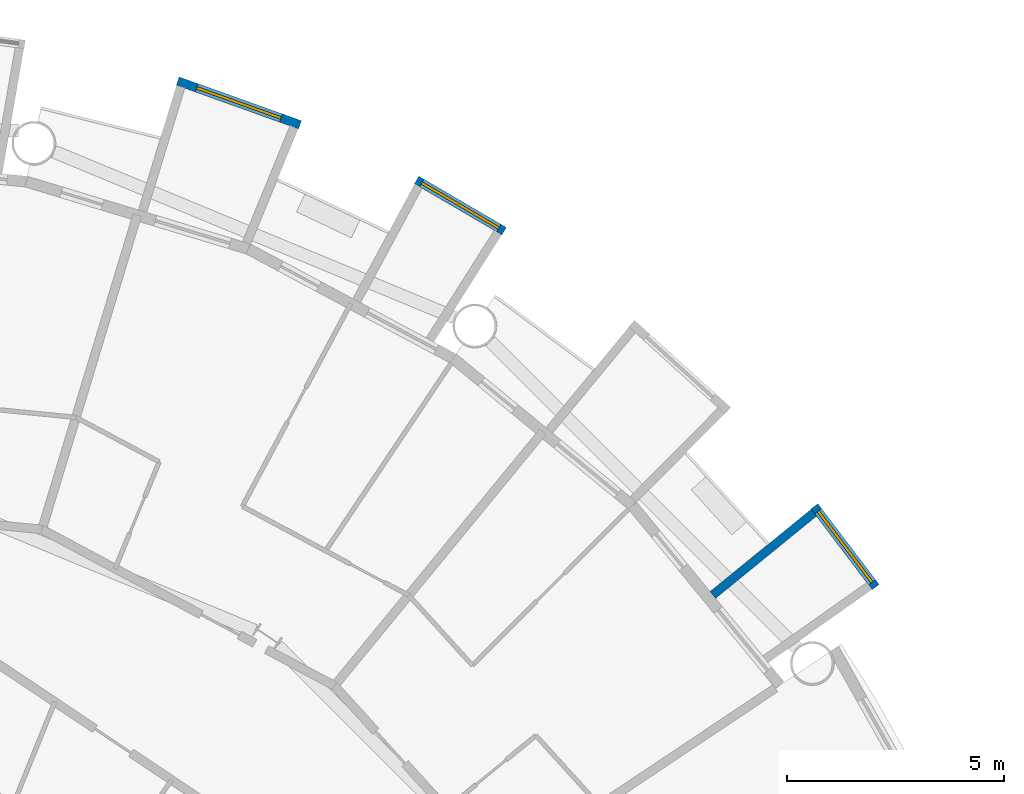
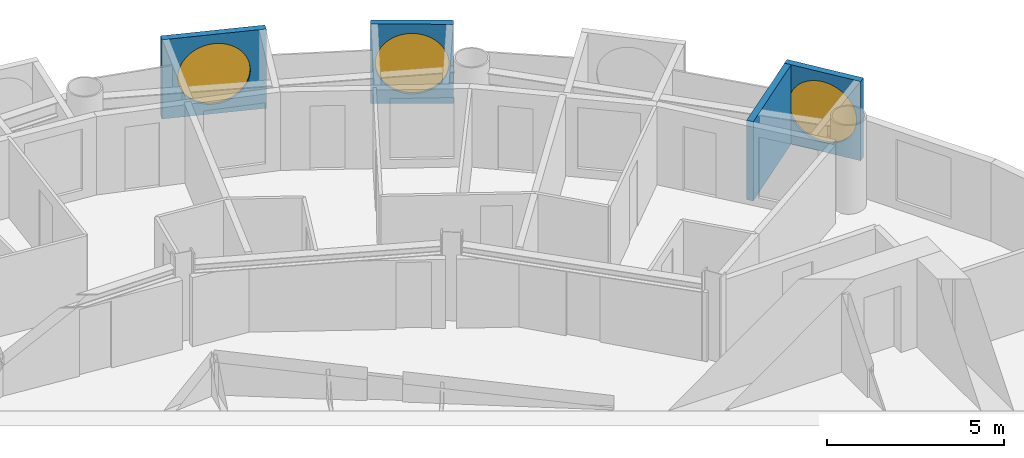
# One storey, part 23 of 26: 4 walls, 3 windows, 3 openings.
"""IFC4 building model written with IfcOpenShell, lengths in metres."""

from ifc_helpers import new_model, si_unit, direction, frame, frame_2d, origin, place, context, subcontext, project, spatial, rectangle, circle, extrude, material, layer, layer_set, type_object, element, fill, save


model = new_model("IFC4")

# Units and contexts
model_context = context("Model", 3, precision=1e-05, world=origin(), true_north=direction((0.0, 1.0)))
body_context = subcontext(model_context, "Body", "Model", "MODEL_VIEW")
ifc_project = project(units=[si_unit("LENGTHUNIT", "METRE"), si_unit("AREAUNIT", "SQUARE_METRE"), si_unit("VOLUMEUNIT", "CUBIC_METRE"), si_unit("PLANEANGLEUNIT", "RADIAN"), si_unit("MASSUNIT", "GRAM", prefix="KILO")], contexts=[model_context])

# Site, building, storey
site_placement = place(None, origin())
site = spatial("IfcSite", under=ifc_project, at=site_placement, CompositionType="ELEMENT")
building_placement = place(site_placement, origin())
building = spatial("IfcBuilding", under=site, at=building_placement, Name="Maasbend Ring Residences", CompositionType="ELEMENT")
storey_placement = place(building_placement, frame((0.0, 0.0, 25.85009765625)))
storey = spatial("IfcBuildingStorey", under=building, at=storey_placement, Name="L06", CompositionType="ELEMENT", Elevation=25.85009765625)

# Wall, opening, window
ifc_material_1 = material(Name="Pale anodised aluminium panel", Category="aluminium")
ifc_layer = layer(ifc_material_1, 0.199951171875)
ifc_layer_set = layer_set([ifc_layer], Name="EW-BOX")
wall_type = type_object("IfcWallType", Name="EW-BOX", PredefinedType="SOLIDWALL", material=ifc_layer_set)
wall_1_placement = place(storey_placement, frame((24.908935546875, 17.427001953125, -0.030029296875), z_axis=(0.0, 0.0, 1.0), x_axis=(-0.60418752353, 0.796842165306, 0.0)))
wall_1 = element("IfcWall", 1, at=wall_1_placement, inside=storey, type_object=wall_type, Name="Box front N01", PredefinedType="SOLIDWALL", context=body_context, shape_type="SweptSolid", body=[
    extrude(rectangle(XDim=2.3369140625, YDim=0.199951171875, at=frame_2d((1.16845703125, 0.0))), origin(), (0.0, 0.0, 1.0), 2.72998046875),
])
opening_1_placement = place(wall_1_placement, frame((0.128173828125, 0.0, 0.330078125)))
opening_1 = element("IfcOpeningElement", 2, at=opening_1_placement, cuts=wall_1, Name="Opening W-RD", PredefinedType="OPENING", context=body_context, shape_type="SweptSolid", body=[
    extrude(circle(Radius=1.0400390625, at=frame_2d((1.0400390625, 1.0400390625))), frame((0.0, 0.10986328125, 0.0), z_axis=(0.0, -1.0, 0.0), x_axis=(1.0, 0.0, 0.0)), (0.0, 0.0, 1.0), 0.219970703125),
])
ifc_material_2 = material(Name="Aluminium and clear glass", Category="aluminium")
window_type = type_object("IfcWindowType", Name="W-RD", PartitioningType="SINGLE_PANEL", PredefinedType="WINDOW", material=ifc_material_2)
window_1_placement = place(opening_1_placement, origin())
window_1 = element("IfcWindow", 3, at=window_1_placement, inside=storey, type_object=window_type, Name="Round window N01", OverallHeight=2.080078125, OverallWidth=2.080078125, PartitioningType="SINGLE_PANEL", PredefinedType="WINDOW", context=body_context, shape_type="SweptSolid", body=[
    extrude(circle(Radius=1.0400390625, at=frame_2d((1.0400390625, 1.0400390625))), frame((0.0, 0.030029296875, 0.0), z_axis=(0.0, -1.0, 0.0), x_axis=(1.0, 0.0, 0.0)), (0.0, 0.0, 1.0), 0.06005859375),
])
fill(opening_1, window_1)

# Wall
wall_2_placement = place(storey_placement, frame((21.155029296875, 17.24609375, -0.030029296875), z_axis=(0.0, 0.0, 1.0), x_axis=(0.775179004516, 0.631741648902, 0.0)))
element("IfcWall", 4, at=wall_2_placement, inside=storey, type_object=wall_type, Name="Box side wall N01 right", PredefinedType="SOLIDWALL", context=body_context, shape_type="SweptSolid", body=[
    extrude(rectangle(XDim=3.005859375, YDim=0.199951171875, at=frame_2d((1.5029296875, 0.0))), origin(), (0.0, 0.0, 1.0), 2.72998046875),
])

# Wall, opening, window
wall_3_placement = place(storey_placement, frame((16.343994140625, 25.633056640625, -0.030029296875), z_axis=(0.0, 0.0, 1.0), x_axis=(-0.863346521872, 0.504611517081, 0.0)))
wall_3 = element("IfcWall", 5, at=wall_3_placement, inside=storey, type_object=wall_type, Name="Box front N05", PredefinedType="SOLIDWALL", context=body_context, shape_type="SweptSolid", body=[
    extrude(rectangle(XDim=2.33642578125, YDim=0.199951171875, at=frame_2d((1.168212890625, 0.0))), origin(), (0.0, 0.0, 1.0), 2.72998046875),
])
opening_2_placement = place(wall_3_placement, frame((0.128173828125, 0.0, 0.330078125)))
opening_2 = element("IfcOpeningElement", 6, at=opening_2_placement, cuts=wall_3, Name="Opening W-RD", PredefinedType="OPENING", context=body_context, shape_type="SweptSolid", body=[
    extrude(circle(Radius=1.0400390625, at=frame_2d((1.0400390625, 1.0400390625))), frame((0.0, 0.10986328125, 0.0), z_axis=(0.0, -1.0, 0.0), x_axis=(1.0, 0.0, 0.0)), (0.0, 0.0, 1.0), 0.219970703125),
])
window_2_placement = place(opening_2_placement, origin())
window_2 = element("IfcWindow", 7, at=window_2_placement, inside=storey, type_object=window_type, Name="Round window N05", OverallHeight=2.080078125, OverallWidth=2.080078125, PartitioningType="SINGLE_PANEL", PredefinedType="WINDOW", context=body_context, shape_type="SweptSolid", body=[
    extrude(circle(Radius=1.0400390625, at=frame_2d((1.0400390625, 1.0400390625))), frame((0.0, 0.030029296875, 0.0), z_axis=(0.0, -1.0, 0.0), x_axis=(1.0, 0.0, 0.0)), (0.0, 0.0, 1.0), 0.06005859375),
])
fill(opening_2, window_2)

wall_4_placement = place(storey_placement, frame((11.637939453125, 28.083984375, -0.030029296875), z_axis=(0.0, 0.0, 1.0), x_axis=(-0.941461077774, 0.337121697664, 0.0)))
wall_4 = element("IfcWall", 8, at=wall_4_placement, inside=storey, type_object=wall_type, Name="Box front N07", PredefinedType="SOLIDWALL", context=body_context, shape_type="SweptSolid", body=[
    extrude(rectangle(XDim=2.9931640625, YDim=0.199951171875, at=frame_2d((1.49658203125, 0.0))), origin(), (0.0, 0.0, 1.0), 2.72998046875),
])
opening_3_placement = place(wall_4_placement, frame((0.45654296875, 0.0, 0.330078125)))
opening_3 = element("IfcOpeningElement", 9, at=opening_3_placement, cuts=wall_4, Name="Opening W-RD", PredefinedType="OPENING", context=body_context, shape_type="SweptSolid", body=[
    extrude(circle(Radius=1.0400390625, at=frame_2d((1.0400390625, 1.0400390625))), frame((0.0, 0.10986328125, 0.0), z_axis=(0.0, -1.0, 0.0), x_axis=(1.0, 0.0, 0.0)), (0.0, 0.0, 1.0), 0.219970703125),
])
window_3_placement = place(opening_3_placement, origin())
window_3 = element("IfcWindow", 10, at=window_3_placement, inside=storey, type_object=window_type, Name="Round window N07", OverallHeight=2.080078125, OverallWidth=2.080078125, PartitioningType="SINGLE_PANEL", PredefinedType="WINDOW", context=body_context, shape_type="SweptSolid", body=[
    extrude(circle(Radius=1.0400390625, at=frame_2d((1.0400390625, 1.0400390625))), frame((0.0, 0.030029296875, 0.0), z_axis=(0.0, -1.0, 0.0), x_axis=(1.0, 0.0, 0.0)), (0.0, 0.0, 1.0), 0.06005859375),
])
fill(opening_3, window_3)

save(model, "model.ifc")
